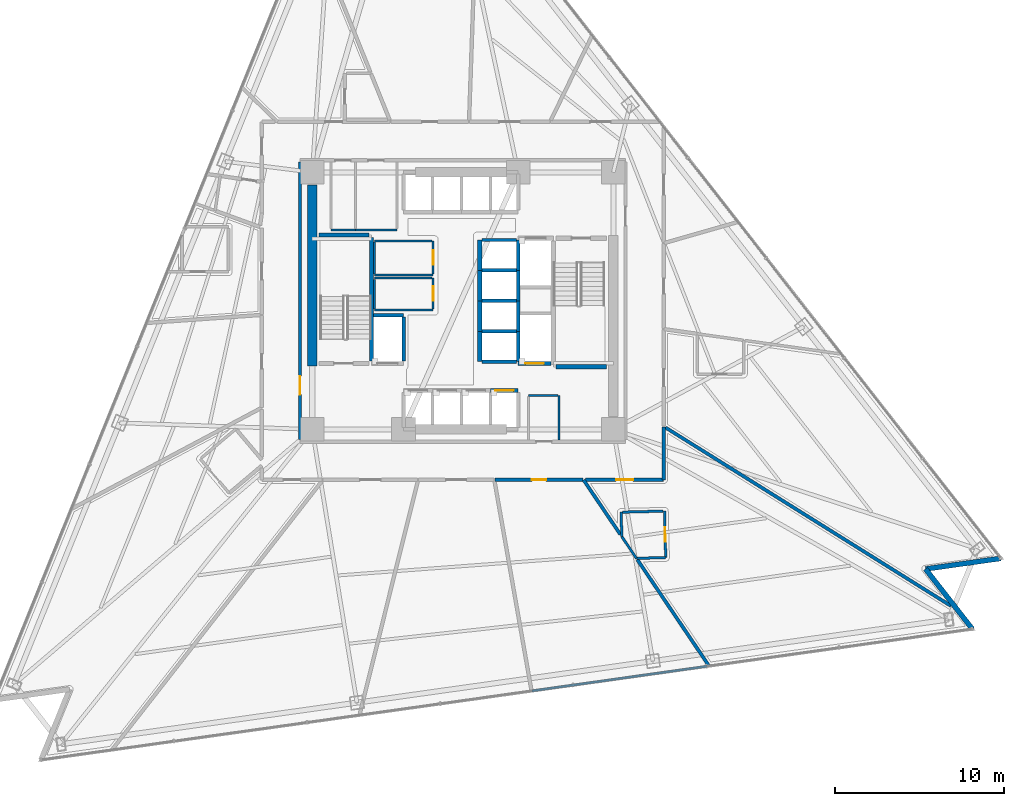
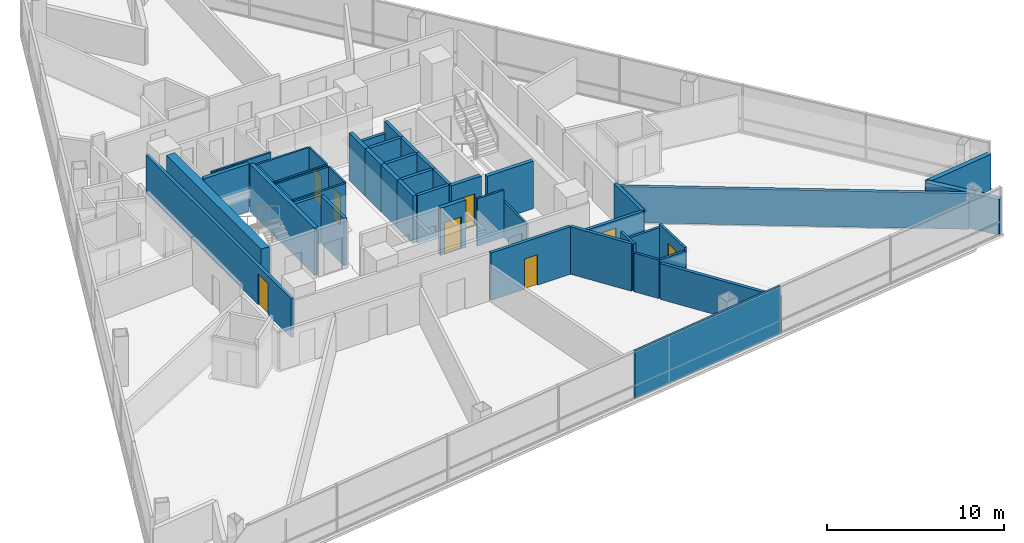
# One storey, part 8 of 15: 48 walls, 8 doors, 8 openings.
"""IFC4 building model written with IfcOpenShell, lengths in metres."""

from ifc_helpers import new_model, si_unit, direction, frame, frame_2d, origin, place, context, subcontext, project, spatial, rectangle, extrude, material, layer, layer_set, type_object, element, fill, save


model = new_model("IFC4")

# Units and contexts
model_context = context("Model", 3, precision=1e-05, world=origin(), true_north=direction((0.0, 1.0)))
body_context = subcontext(model_context, "Body", "Model", "MODEL_VIEW")
ifc_project = project(units=[si_unit("LENGTHUNIT", "METRE"), si_unit("AREAUNIT", "SQUARE_METRE"), si_unit("VOLUMEUNIT", "CUBIC_METRE"), si_unit("PLANEANGLEUNIT", "RADIAN"), si_unit("MASSUNIT", "GRAM", prefix="KILO")], contexts=[model_context])

# Site, building, storey
site_placement = place(None, origin())
site = spatial("IfcSite", under=ifc_project, at=site_placement, CompositionType="ELEMENT")
building_placement = place(site_placement, origin())
building = spatial("IfcBuilding", under=site, at=building_placement, Name="Tharavind Bronze Gate", CompositionType="ELEMENT")
storey_placement = place(building_placement, frame((0.0, 0.0, 67.300048828125)))
storey = spatial("IfcBuildingStorey", under=building, at=storey_placement, Name="L16", CompositionType="ELEMENT", Elevation=67.300048828125)

# Walls
ifc_material_1 = material(Name="Concrete C40/50", Category="concrete")
ifc_layer_1 = layer(ifc_material_1, 0.300048828125)
ifc_layer_set_1 = layer_set([ifc_layer_1], Name="Concrete C40/50")
wall_type_1 = type_object("IfcWallType", Name="EXTERIOR SPANDREL WALL 300", PredefinedType="STANDARD", material=ifc_layer_set_1)
wall_1_placement = place(storey_placement, frame((30.127685546875, -19.399169921875, 0.0), z_axis=(0.0, 0.0, 1.0), x_axis=(-0.615621932091, 0.78804164657, 0.0)))
element("IfcWall", 1, at=wall_1_placement, inside=storey, type_object=wall_type_1, Name="L16 notch cheek wall 3A", PredefinedType="STANDARD", context=body_context, shape_type="SweptSolid", body=[
    extrude(rectangle(XDim=4.5, YDim=0.300048828125, at=frame_2d((2.25, 0.0))), origin(), (0.0, 0.0, 1.0), 2.469970703125),
])
wall_2_placement = place(storey_placement, frame((27.357421875, -15.85302734375, 0.0), z_axis=(0.0, 0.0, 1.0), x_axis=(0.990269200152, 0.139165050317, 0.0)))
element("IfcWall", 2, at=wall_2_placement, inside=storey, type_object=wall_type_1, Name="L16 notch cheek wall 3B", PredefinedType="STANDARD", context=body_context, shape_type="SweptSolid", body=[
    extrude(rectangle(XDim=4.499755859375, YDim=0.300048828125, at=frame_2d((2.25, 0.0))), origin(), (0.0, 0.0, 1.0), 2.469970703125),
])

# Wall, opening, door
ifc_material_2 = material(Name="Aerated Concrete Block", Category="concrete")
ifc_layer_2 = layer(ifc_material_2, 0.199951171875)
ifc_layer_set_2 = layer_set([ifc_layer_2], Name="Aerated Concrete Block")
wall_type_2 = type_object("IfcWallType", Name="FIRE RATED PARTITION 200", PredefinedType="PARTITIONING", material=ifc_layer_set_2)
wall_3_placement = place(storey_placement, frame((-9.6201171875, 8.199951171875, 0.0), z_axis=(0.0, 0.0, 1.0), x_axis=(0.0, -1.0, 0.0)))
wall_3 = element("IfcWall", 3, at=wall_3_placement, inside=storey, type_object=wall_type_2, Name="L16 west core corridor wall", PredefinedType="PARTITIONING", context=body_context, shape_type="SweptSolid", body=[
    extrude(rectangle(XDim=16.39990234375, YDim=0.199951171875, at=frame_2d((8.199951171875, 0.0))), origin(), (0.0, 0.0, 1.0), 2.669921875),
])
opening_1_placement = place(wall_3_placement, frame((12.64990234375, 0.0, 0.0)))
opening_1 = element("IfcOpeningElement", 4, at=opening_1_placement, cuts=wall_3, Name="Opening ID01", PredefinedType="OPENING", context=body_context, shape_type="SweptSolid", body=[
    extrude(rectangle(XDim=1.10009765625, YDim=2.14990234375, at=frame_2d((0.550048828125, 1.074951171875))), frame((0.0, 0.11009765625, 0.0), z_axis=(0.0, -1.0, 0.0), x_axis=(1.0, 0.0, 0.0)), (0.0, 0.0, 1.0), 0.219951171875),
])
ifc_material_3 = material(Name="Fire-Rated Steel", Category="steel")
door_type_1 = type_object("IfcDoorType", Name="STAIR CORE FIRE DOOR 1100X2150", OperationType="SINGLE_SWING_LEFT", PredefinedType="DOOR", material=ifc_material_3)
door_1_placement = place(opening_1_placement, frame((1.10009765625, 0.0, 0.0), z_axis=(0.0, 0.0, 1.0), x_axis=(-1.0, 0.0, 0.0)))
door_1 = element("IfcDoor", 5, at=door_1_placement, inside=storey, type_object=door_type_1, Name="L16 south west stair lobby fire door", OperationType="SINGLE_SWING_LEFT", OverallHeight=2.14990234375, OverallWidth=1.10009765625, PredefinedType="DOOR", context=body_context, shape_type="SweptSolid", body=[
    extrude(rectangle(XDim=1.10009765625, YDim=2.14990234375, at=frame_2d((0.550048828125, 1.074951171875))), frame((0.0, 0.02490234375, 0.0), z_axis=(0.0, -1.0, 0.0), x_axis=(1.0, 0.0, 0.0)), (0.0, 0.0, 1.0), 0.050048828125),
])
fill(opening_1, door_1)

wall_4_placement = place(storey_placement, frame((1.895263671875, -10.580078125, 0.0), z_axis=(0.0, 0.0, 1.0), x_axis=(1.0, 0.0, 0.0)))
wall_4 = element("IfcWall", 6, at=wall_4_placement, inside=storey, type_object=wall_type_2, Name="L16 Public Restrooms Block partition", PredefinedType="PARTITIONING", context=body_context, shape_type="SweptSolid", body=[
    extrude(rectangle(XDim=5.227783203125, YDim=0.199951171875, at=frame_2d((2.61376953125, 0.0))), origin(), (0.0, 0.0, 1.0), 3.27490234375),
])
opening_2_placement = place(wall_4_placement, frame((2.18896484375, 0.0, 0.0)))
opening_2 = element("IfcOpeningElement", 7, at=opening_2_placement, cuts=wall_4, Name="Opening ID06", PredefinedType="OPENING", context=body_context, shape_type="SweptSolid", body=[
    extrude(rectangle(XDim=0.85009765625, YDim=2.10009765625, at=frame_2d((0.425048828125, 1.050048828125))), frame((0.0, 0.11009765625, 0.0), z_axis=(0.0, -1.0, 0.0), x_axis=(1.0, 0.0, 0.0)), (0.0, 0.0, 1.0), 0.219951171875),
])
ifc_material_4 = material(Name="Moisture-Resistant Timber", Category="wood")
door_type_2 = type_object("IfcDoorType", Name="BATHROOM PRIVACY DOOR 850X2100", OperationType="SINGLE_SWING_RIGHT", PredefinedType="DOOR", material=ifc_material_4)
door_2_placement = place(opening_2_placement, origin())
door_2 = element("IfcDoor", 8, at=door_2_placement, inside=storey, type_object=door_type_2, Name="L16 Public Restrooms Block door", OperationType="SINGLE_SWING_RIGHT", OverallHeight=2.10009765625, OverallWidth=0.85009765625, PredefinedType="DOOR", context=body_context, shape_type="SweptSolid", body=[
    extrude(rectangle(XDim=0.85009765625, YDim=2.10009765625, at=frame_2d((0.425048828125, 1.050048828125))), frame((0.0, 0.02490234375, 0.0), z_axis=(0.0, -1.0, 0.0), x_axis=(1.0, 0.0, 0.0)), (0.0, 0.0, 1.0), 0.050048828125),
])
fill(opening_2, door_2)

# Walls
wall_5_placement = place(storey_placement, frame((7.143798828125, -10.591064453125, 0.0), z_axis=(0.0, 0.0, 1.0), x_axis=(0.559171794076, -0.829051810631, 0.0)))
element("IfcWall", 9, at=wall_5_placement, inside=storey, type_object=wall_type_2, Name="L16 Public Restrooms Block partition", PredefinedType="PARTITIONING", context=body_context, shape_type="SweptSolid", body=[
    extrude(rectangle(XDim=3.88623046875, YDim=0.199951171875, at=frame_2d((1.943115234375, 0.0))), origin(), (0.0, 0.0, 1.0), 3.27490234375),
])
wall_6_placement = place(storey_placement, frame((10.321044921875, -15.3017578125, 0.0), z_axis=(0.0, 0.0, 1.0), x_axis=(0.559202924042, -0.829030813506, 0.0)))
element("IfcWall", 10, at=wall_6_placement, inside=storey, type_object=wall_type_2, Name="L16 Public Restrooms Block partition", PredefinedType="PARTITIONING", context=body_context, shape_type="SweptSolid", body=[
    extrude(rectangle(XDim=7.581298828125, YDim=0.199951171875, at=frame_2d((3.79052734375, 0.0))), origin(), (0.0, 0.0, 1.0), 2.469970703125),
])
wall_7_placement = place(storey_placement, frame((11.8798828125, -10.579345703125, 0.0), z_axis=(0.0, 0.0, 1.0), x_axis=(0.0, 1.0, 0.0)))
element("IfcWall", 11, at=wall_7_placement, inside=storey, type_object=wall_type_2, Name="L16 Deluxe Hotel Suite partition", PredefinedType="PARTITIONING", context=body_context, shape_type="SweptSolid", body=[
    extrude(rectangle(XDim=3.11083984375, YDim=0.199951171875, at=frame_2d((1.555419921875, 0.0))), origin(), (0.0, 0.0, 1.0), 2.669921875),
])
wall_8_placement = place(storey_placement, frame((11.985107421875, -7.489013671875, 0.0), z_axis=(0.0, 0.0, 1.0), x_axis=(0.848049281921, -0.529917366608, 0.0)))
element("IfcWall", 12, at=wall_8_placement, inside=storey, type_object=wall_type_2, Name="L16 Deluxe Hotel Suite partition", PredefinedType="PARTITIONING", context=body_context, shape_type="SweptSolid", body=[
    extrude(rectangle(XDim=19.908447265625, YDim=0.199951171875, at=frame_2d((9.9541015625, 0.0))), origin(), (0.0, 0.0, 1.0), 2.469970703125),
])

# Wall, opening, door
wall_9_placement = place(storey_placement, frame((7.262939453125, -10.580078125, 0.0), z_axis=(0.0, 0.0, 1.0), x_axis=(1.0, 0.0, 0.0)))
wall_9 = element("IfcWall", 13, at=wall_9_placement, inside=storey, type_object=wall_type_2, Name="L16 Deluxe Hotel Suite partition", PredefinedType="PARTITIONING", context=body_context, shape_type="SweptSolid", body=[
    extrude(rectangle(XDim=4.616455078125, YDim=0.199951171875, at=frame_2d((2.30810546875, 0.0))), origin(), (0.0, 0.0, 1.0), 2.669921875),
])
opening_3_placement = place(wall_9_placement, frame((1.80810546875, 0.0, 0.0)))
opening_3 = element("IfcOpeningElement", 14, at=opening_3_placement, cuts=wall_9, Name="Opening ID03", PredefinedType="OPENING", context=body_context, shape_type="SweptSolid", body=[
    extrude(rectangle(XDim=1.0, YDim=2.14990234375, at=frame_2d((0.5, 1.074951171875))), frame((0.0, 0.11009765625, 0.0), z_axis=(0.0, -1.0, 0.0), x_axis=(1.0, 0.0, 0.0)), (0.0, 0.0, 1.0), 0.219951171875),
])
ifc_material_5 = material(Name="Solid Timber Veneer", Category="wood")
door_type_3 = type_object("IfcDoorType", Name="HOTEL SUITE ENTRANCE DOOR 1000X2150", OperationType="SINGLE_SWING_LEFT", PredefinedType="DOOR", material=ifc_material_5)
door_3_placement = place(opening_3_placement, origin())
door_3 = element("IfcDoor", 15, at=door_3_placement, inside=storey, type_object=door_type_3, Name="L16 Deluxe Hotel Suite door", OperationType="SINGLE_SWING_LEFT", OverallHeight=2.14990234375, OverallWidth=1.0, PredefinedType="DOOR", context=body_context, shape_type="SweptSolid", body=[
    extrude(rectangle(XDim=1.0, YDim=2.14990234375, at=frame_2d((0.5, 1.074951171875))), frame((0.0, 0.02490234375, 0.0), z_axis=(0.0, -1.0, 0.0), x_axis=(1.0, 0.0, 0.0)), (0.0, 0.0, 1.0), 0.050048828125),
])
fill(opening_3, door_3)

# Wall
ifc_material_6 = material(Name="Metal Stud Gypsum Partition", Category="gypsum")
ifc_layer_3 = layer(ifc_material_6, 0.1201171875)
ifc_layer_set_3 = layer_set([ifc_layer_3], Name="Metal Stud Gypsum Partition")
wall_type_3 = type_object("IfcWallType", Name="INTERIOR PARTITION WALL 120", PredefinedType="PARTITIONING", material=ifc_layer_set_3)
wall_10_placement = place(storey_placement, frame((-5.219970703125, 1.52001953125, 0.0), z_axis=(0.0, 0.0, 1.0), x_axis=(1.0, 0.0, 0.0)))
element("IfcWall", 16, at=wall_10_placement, inside=storey, type_object=wall_type_3, Name="L16 Cleaner Store Room partition 1", PredefinedType="PARTITIONING", context=body_context, shape_type="SweptSolid", body=[
    extrude(rectangle(XDim=3.469970703125, YDim=0.1201171875, at=frame_2d((1.73486328125, 0.0))), origin(), (0.0, 0.0, 1.0), 3.27490234375),
])

# Wall, opening, door
wall_11_placement = place(storey_placement, frame((-1.75, 1.5849609375, 0.0), z_axis=(0.0, 0.0, 1.0), x_axis=(0.0, 1.0, 0.0)))
wall_11 = element("IfcWall", 17, at=wall_11_placement, inside=storey, type_object=wall_type_3, Name="L16 Cleaner Store Room partition 2", PredefinedType="PARTITIONING", context=body_context, shape_type="SweptSolid", body=[
    extrude(rectangle(XDim=1.965087890625, YDim=0.1201171875, at=frame_2d((0.982421875, 0.0))), origin(), (0.0, 0.0, 1.0), 3.27490234375),
])
opening_4_placement = place(wall_11_placement, frame((0.556884765625, 0.0, 0.0)))
opening_4 = element("IfcOpeningElement", 18, at=opening_4_placement, cuts=wall_11, Name="Opening ID06", PredefinedType="OPENING", context=body_context, shape_type="SweptSolid", body=[
    extrude(rectangle(XDim=0.85009765625, YDim=2.10009765625, at=frame_2d((0.425048828125, 1.050048828125))), frame((0.0, 0.07005859375, 0.0), z_axis=(0.0, -1.0, 0.0), x_axis=(1.0, 0.0, 0.0)), (0.0, 0.0, 1.0), 0.1401171875),
])
door_4_placement = place(opening_4_placement, frame((0.85009765625, 0.0, 0.0), z_axis=(0.0, 0.0, 1.0), x_axis=(-1.0, 0.0, 0.0)))
door_4 = element("IfcDoor", 19, at=door_4_placement, inside=storey, type_object=door_type_2, Name="L16 Cleaner Store Room door", OperationType="SINGLE_SWING_RIGHT", OverallHeight=2.10009765625, OverallWidth=0.85009765625, PredefinedType="DOOR", context=body_context, shape_type="SweptSolid", body=[
    extrude(rectangle(XDim=0.85009765625, YDim=2.10009765625, at=frame_2d((0.425048828125, 1.050048828125))), frame((0.0, 0.02490234375, 0.0), z_axis=(0.0, -1.0, 0.0), x_axis=(1.0, 0.0, 0.0)), (0.0, 0.0, 1.0), 0.050048828125),
])
fill(opening_4, door_4)

# Walls
wall_12_placement = place(storey_placement, frame((-1.81494140625, 3.550048828125, 0.0), z_axis=(0.0, 0.0, 1.0), x_axis=(-1.0, 0.0, 0.0)))
element("IfcWall", 20, at=wall_12_placement, inside=storey, type_object=wall_type_3, Name="L16 Cleaner Store Room partition 3", PredefinedType="PARTITIONING", context=body_context, shape_type="SweptSolid", body=[
    extrude(rectangle(XDim=3.405029296875, YDim=0.1201171875, at=frame_2d((1.70263671875, 0.0))), origin(), (0.0, 0.0, 1.0), 3.27490234375),
])
wall_13_placement = place(storey_placement, frame((-5.219970703125, 3.485107421875, 0.0), z_axis=(0.0, 0.0, 1.0), x_axis=(0.0, -1.0, 0.0)))
element("IfcWall", 21, at=wall_13_placement, inside=storey, type_object=wall_type_3, Name="L16 Cleaner Store Room partition 4", PredefinedType="PARTITIONING", context=body_context, shape_type="SweptSolid", body=[
    extrude(rectangle(XDim=1.900146484375, YDim=0.1201171875, at=frame_2d((0.9501953125, 0.0))), origin(), (0.0, 0.0, 1.0), 3.27490234375),
])
wall_14_placement = place(storey_placement, frame((-5.219970703125, -0.550048828125, 0.0), z_axis=(0.0, 0.0, 1.0), x_axis=(1.0, 0.0, 0.0)))
element("IfcWall", 22, at=wall_14_placement, inside=storey, type_object=wall_type_3, Name="L16 Electrical Switch Room partition 1", PredefinedType="PARTITIONING", context=body_context, shape_type="SweptSolid", body=[
    extrude(rectangle(XDim=3.469970703125, YDim=0.1201171875, at=frame_2d((1.73486328125, 0.0))), origin(), (0.0, 0.0, 1.0), 3.27490234375),
])

# Wall, opening, door
wall_15_placement = place(storey_placement, frame((-1.75, -0.485107421875, 0.0), z_axis=(0.0, 0.0, 1.0), x_axis=(0.0, 1.0, 0.0)))
wall_15 = element("IfcWall", 23, at=wall_15_placement, inside=storey, type_object=wall_type_3, Name="L16 Electrical Switch Room partition 2", PredefinedType="PARTITIONING", context=body_context, shape_type="SweptSolid", body=[
    extrude(rectangle(XDim=1.8251953125, YDim=0.1201171875, at=frame_2d((0.91259765625, 0.0))), origin(), (0.0, 0.0, 1.0), 3.27490234375),
])
opening_5_placement = place(wall_15_placement, frame((0.488037109375, 0.0, 0.0)))
opening_5 = element("IfcOpeningElement", 24, at=opening_5_placement, cuts=wall_15, Name="Opening ID06", PredefinedType="OPENING", context=body_context, shape_type="SweptSolid", body=[
    extrude(rectangle(XDim=0.85009765625, YDim=2.10009765625, at=frame_2d((0.425048828125, 1.050048828125))), frame((0.0, 0.07005859375, 0.0), z_axis=(0.0, -1.0, 0.0), x_axis=(1.0, 0.0, 0.0)), (0.0, 0.0, 1.0), 0.1401171875),
])
door_5_placement = place(opening_5_placement, frame((0.85009765625, 0.0, 0.0), z_axis=(0.0, 0.0, 1.0), x_axis=(-1.0, 0.0, 0.0)))
door_5 = element("IfcDoor", 25, at=door_5_placement, inside=storey, type_object=door_type_2, Name="L16 Electrical Switch Room door", OperationType="SINGLE_SWING_RIGHT", OverallHeight=2.10009765625, OverallWidth=0.85009765625, PredefinedType="DOOR", context=body_context, shape_type="SweptSolid", body=[
    extrude(rectangle(XDim=0.85009765625, YDim=2.10009765625, at=frame_2d((0.425048828125, 1.050048828125))), frame((0.0, 0.02490234375, 0.0), z_axis=(0.0, -1.0, 0.0), x_axis=(1.0, 0.0, 0.0)), (0.0, 0.0, 1.0), 0.050048828125),
])
fill(opening_5, door_5)

# Walls
wall_16_placement = place(storey_placement, frame((-1.81494140625, 1.340087890625, 0.0), z_axis=(0.0, 0.0, 1.0), x_axis=(-1.0, 0.0, 0.0)))
element("IfcWall", 26, at=wall_16_placement, inside=storey, type_object=wall_type_3, Name="L16 Electrical Switch Room partition 3", PredefinedType="PARTITIONING", context=body_context, shape_type="SweptSolid", body=[
    extrude(rectangle(XDim=3.405029296875, YDim=0.1201171875, at=frame_2d((1.70263671875, 0.0))), origin(), (0.0, 0.0, 1.0), 3.27490234375),
])
wall_17_placement = place(storey_placement, frame((-5.219970703125, 1.27490234375, 0.0), z_axis=(0.0, 0.0, 1.0), x_axis=(0.0, -1.0, 0.0)))
element("IfcWall", 27, at=wall_17_placement, inside=storey, type_object=wall_type_3, Name="L16 Electrical Switch Room partition 4", PredefinedType="PARTITIONING", context=body_context, shape_type="SweptSolid", body=[
    extrude(rectangle(XDim=1.760009765625, YDim=0.1201171875, at=frame_2d((0.8798828125, 0.0))), origin(), (0.0, 0.0, 1.0), 3.27490234375),
])
wall_18_placement = place(storey_placement, frame((-7.800048828125, 4.199951171875, 0.0), z_axis=(0.0, 0.0, 1.0), x_axis=(1.0, 0.0, 0.0)))
element("IfcWall", 28, at=wall_18_placement, inside=storey, type_object=wall_type_3, Name="L16 Battery Backup Cupboard partition 1", PredefinedType="PARTITIONING", context=body_context, shape_type="SweptSolid", body=[
    extrude(rectangle(XDim=1.449951171875, YDim=0.1201171875, at=frame_2d((0.72509765625, 0.0))), origin(), (0.0, 0.0, 1.0), 3.27490234375),
])
wall_19_placement = place(storey_placement, frame((-6.35009765625, 4.199951171875, 0.0), z_axis=(0.0, 0.0, 1.0), x_axis=(1.0, 0.0, 0.0)))
element("IfcWall", 29, at=wall_19_placement, inside=storey, type_object=wall_type_3, Name="L16 Cleaner Store Room partition 1", PredefinedType="PARTITIONING", context=body_context, shape_type="SweptSolid", body=[
    extrude(rectangle(XDim=2.4501953125, YDim=0.1201171875, at=frame_2d((1.22509765625, 0.0))), origin(), (0.0, 0.0, 1.0), 3.27490234375),
])
wall_20_placement = place(storey_placement, frame((5.699951171875, -8.215087890625, 0.0), z_axis=(0.0, 0.0, 1.0), x_axis=(0.0, 1.0, 0.0)))
element("IfcWall", 30, at=wall_20_placement, inside=storey, type_object=wall_type_3, Name="L16 Janitor Store Cupboard partition 2", PredefinedType="PARTITIONING", context=body_context, shape_type="SweptSolid", body=[
    extrude(rectangle(XDim=2.614990234375, YDim=0.1201171875, at=frame_2d((1.3076171875, 0.0))), origin(), (0.0, 0.0, 1.0), 2.469970703125),
])
wall_21_placement = place(storey_placement, frame((5.635009765625, -5.60009765625, 0.0), z_axis=(0.0, 0.0, 1.0), x_axis=(-1.0, 0.0, 0.0)))
element("IfcWall", 31, at=wall_21_placement, inside=storey, type_object=wall_type_3, Name="L16 Janitor Store Cupboard partition 3", PredefinedType="PARTITIONING", context=body_context, shape_type="SweptSolid", body=[
    extrude(rectangle(XDim=1.735107421875, YDim=0.1201171875, at=frame_2d((0.86767578125, 0.0))), origin(), (0.0, 0.0, 1.0), 3.27490234375),
])

# Wall, opening, door
ifc_material_7 = material(Name="Twin Stud Acoustic Gypsum", Category="gypsum")
ifc_layer_4 = layer(ifc_material_7, 0.14990234375)
ifc_layer_set_4 = layer_set([ifc_layer_4], Name="Twin Stud Acoustic Gypsum")
wall_type_4 = type_object("IfcWallType", Name="INTERIOR PARTITION WALL 150", PredefinedType="PARTITIONING", material=ifc_layer_set_4)
wall_22_placement = place(storey_placement, frame((11.927490234375, -12.429443359375, 0.0), z_axis=(0.0, 0.0, 1.0), x_axis=(0.025746347005, -0.999668507864, 0.0)))
wall_22 = element("IfcWall", 32, at=wall_22_placement, inside=storey, type_object=wall_type_4, Name="L16 En-Suite Bathroom partition", PredefinedType="PARTITIONING", context=body_context, shape_type="SweptSolid", body=[
    extrude(rectangle(XDim=2.75, YDim=0.14990234375, at=frame_2d((1.375, 0.0))), origin(), (0.0, 0.0, 1.0), 2.869873046875),
])
opening_6_placement = place(wall_22_placement, frame((0.949951171875, 0.0, 0.0)))
opening_6 = element("IfcOpeningElement", 33, at=opening_6_placement, cuts=wall_22, Name="Opening ID06", PredefinedType="OPENING", context=body_context, shape_type="SweptSolid", body=[
    extrude(rectangle(XDim=0.85009765625, YDim=2.10009765625, at=frame_2d((0.425048828125, 1.050048828125))), frame((0.0, 0.084951171875, 0.0), z_axis=(0.0, -1.0, 0.0), x_axis=(1.0, 0.0, 0.0)), (0.0, 0.0, 1.0), 0.16990234375),
])
door_6_placement = place(opening_6_placement, origin())
door_6 = element("IfcDoor", 34, at=door_6_placement, inside=storey, type_object=door_type_2, Name="L16 En-Suite Bathroom door", OperationType="SINGLE_SWING_RIGHT", OverallHeight=2.10009765625, OverallWidth=0.85009765625, PredefinedType="DOOR", context=body_context, shape_type="SweptSolid", body=[
    extrude(rectangle(XDim=0.85009765625, YDim=2.10009765625, at=frame_2d((0.425048828125, 1.050048828125))), frame((0.0, 0.02490234375, 0.0), z_axis=(0.0, -1.0, 0.0), x_axis=(1.0, 0.0, 0.0)), (0.0, 0.0, 1.0), 0.050048828125),
])
fill(opening_6, door_6)

# Walls
wall_23_placement = place(storey_placement, frame((11.998291015625, -15.178466796875, 0.0), z_axis=(0.0, 0.0, 1.0), x_axis=(-0.999670410654, -0.025672359918, 0.0)))
element("IfcWall", 35, at=wall_23_placement, inside=storey, type_object=wall_type_4, Name="L16 En-Suite Bathroom partition", PredefinedType="PARTITIONING", context=body_context, shape_type="SweptSolid", body=[
    extrude(rectangle(XDim=1.730712890625, YDim=0.14990234375, at=frame_2d((0.865234375, 0.0))), origin(), (0.0, 0.0, 1.0), 2.669921875),
])
wall_24_placement = place(storey_placement, frame((10.26806640625, -15.222900390625, 0.0), z_axis=(0.0, 0.0, 1.0), x_axis=(-0.559229675695, 0.82901276819, 0.0)))
element("IfcWall", 36, at=wall_24_placement, inside=storey, type_object=wall_type_4, Name="L16 En-Suite Bathroom partition", PredefinedType="PARTITIONING", context=body_context, shape_type="SweptSolid", body=[
    extrude(rectangle(XDim=1.552001953125, YDim=0.14990234375, at=frame_2d((0.77587890625, 0.0))), origin(), (0.0, 0.0, 1.0), 2.669921875),
])
wall_25_placement = place(storey_placement, frame((9.400146484375, -13.936279296875, 0.0), z_axis=(0.0, 0.0, 1.0), x_axis=(-0.025745445057, 0.999668531094, 0.0)))
element("IfcWall", 37, at=wall_25_placement, inside=storey, type_object=wall_type_4, Name="L16 En-Suite Bathroom partition", PredefinedType="PARTITIONING", context=body_context, shape_type="SweptSolid", body=[
    extrude(rectangle(XDim=1.44140625, YDim=0.14990234375, at=frame_2d((0.720703125, 0.0))), origin(), (0.0, 0.0, 1.0), 3.27490234375),
])
wall_26_placement = place(storey_placement, frame((9.443115234375, -12.493408203125, 0.0), z_axis=(0.0, 0.0, 1.0), x_axis=(0.999667618691, 0.025780848324, 0.0)))
element("IfcWall", 38, at=wall_26_placement, inside=storey, type_object=wall_type_4, Name="L16 En-Suite Bathroom partition", PredefinedType="PARTITIONING", context=body_context, shape_type="SweptSolid", body=[
    extrude(rectangle(XDim=2.4052734375, YDim=0.14990234375, at=frame_2d((1.20263671875, 0.0))), origin(), (0.0, 0.0, 1.0), 2.669921875),
])
wall_27_placement = place(storey_placement, frame((14.44482421875, -21.603271484375, 0.0), z_axis=(0.0, 0.0, 1.0), x_axis=(-0.990270056923, -0.139158953581, 0.0)))
element("IfcWall", 39, at=wall_27_placement, inside=storey, type_object=wall_type_4, Name="L16 Public Restrooms Block partition", PredefinedType="PARTITIONING", context=body_context, shape_type="SweptSolid", body=[
    extrude(rectangle(XDim=10.456298828125, YDim=0.14990234375, at=frame_2d((5.22802734375, 0.0))), origin(), (0.0, 0.0, 1.0), 3.27490234375),
])
ifc_material_8 = material(Name="Concrete C50/60", Category="concrete")
ifc_layer_5 = layer(ifc_material_8, 0.25)
ifc_layer_set_5 = layer_set([ifc_layer_5], Name="Concrete C50/60")
wall_type_5 = type_object("IfcWallType", Name="RC CORE SHEAR WALL 250", PredefinedType="SHEAR", material=ifc_layer_set_5)
wall_28_placement = place(storey_placement, frame((-5.39990234375, -3.550048828125, 0.0), z_axis=(0.0, 0.0, 1.0), x_axis=(0.0, 1.0, 0.0)))
element("IfcWall", 40, at=wall_28_placement, inside=storey, type_object=wall_type_5, Name="L16 ST1 shaft east wall", PredefinedType="SHEAR", context=body_context, shape_type="SweptSolid", body=[
    extrude(rectangle(XDim=7.300048828125, YDim=0.25, at=frame_2d((3.64990234375, 0.0))), origin(), (0.0, 0.0, 1.0), 3.27490234375),
])
wall_29_placement = place(storey_placement, frame((-8.5, 3.89990234375, 0.0), z_axis=(0.0, 0.0, 1.0), x_axis=(1.0, 0.0, 0.0)))
element("IfcWall", 41, at=wall_29_placement, inside=storey, type_object=wall_type_5, Name="L16 ST1 shaft north wall", PredefinedType="SHEAR", context=body_context, shape_type="SweptSolid", body=[
    extrude(rectangle(XDim=2.949951171875, YDim=0.25, at=frame_2d((1.47509765625, 0.0))), origin(), (0.0, 0.0, 1.0), 3.27490234375),
])
wall_30_placement = place(storey_placement, frame((5.5, -3.89990234375, 0.0), z_axis=(0.0, 0.0, 1.0), x_axis=(1.0, 0.0, 0.0)))
element("IfcWall", 42, at=wall_30_placement, inside=storey, type_object=wall_type_5, Name="L16 ST2 shaft south wall", PredefinedType="SHEAR", context=body_context, shape_type="SweptSolid", body=[
    extrude(rectangle(XDim=3.0, YDim=0.25, at=frame_2d((1.5, 0.0))), origin(), (0.0, 0.0, 1.0), 3.27490234375),
])

# Wall, opening, door
wall_31_placement = place(storey_placement, frame((1.637451171875, -5.300048828125, 0.0), z_axis=(0.0, 0.0, 1.0), x_axis=(1.0, 0.0, 0.0)))
wall_31 = element("IfcWall", 43, at=wall_31_placement, inside=storey, type_object=wall_type_5, Name="L16 lift PL4 shaft front wall", PredefinedType="SHEAR", context=body_context, shape_type="SweptSolid", body=[
    extrude(rectangle(XDim=1.642578125, YDim=0.25, at=frame_2d((0.8212890625, 0.0))), origin(), (0.0, 0.0, 1.0), 3.27490234375),
])
opening_7_placement = place(wall_31_placement, frame((0.27099609375, 0.0, 0.0)))
opening_7 = element("IfcOpeningElement", 44, at=opening_7_placement, cuts=wall_31, Name="Opening LD01", PredefinedType="OPENING", context=body_context, shape_type="SweptSolid", body=[
    extrude(rectangle(XDim=1.10009765625, YDim=2.199951171875, at=frame_2d((0.550048828125, 1.10009765625))), frame((0.0, 0.135, 0.0), z_axis=(0.0, -1.0, 0.0), x_axis=(1.0, 0.0, 0.0)), (0.0, 0.0, 1.0), 0.27),
])
ifc_material_9 = material(Name="Brushed Bronze Stainless Steel", Category="steel")
door_type_4 = type_object("IfcDoorType", Name="LIFT LANDING SLIDING DOOR 1100X2200", OperationType="SLIDING_TO_LEFT", PredefinedType="DOOR", material=ifc_material_9)
door_7_placement = place(opening_7_placement, origin())
door_7 = element("IfcDoor", 45, at=door_7_placement, inside=storey, type_object=door_type_4, Name="L16 lift PL4 sliding landing door", OperationType="SLIDING_TO_LEFT", OverallHeight=2.199951171875, OverallWidth=1.10009765625, PredefinedType="DOOR", context=body_context, shape_type="SweptSolid", body=[
    extrude(rectangle(XDim=1.10009765625, YDim=2.199951171875, at=frame_2d((0.550048828125, 1.10009765625))), frame((0.0, 0.02490234375, 0.0), z_axis=(0.0, -1.0, 0.0), x_axis=(1.0, 0.0, 0.0)), (0.0, 0.0, 1.0), 0.050048828125),
])
fill(opening_7, door_7)

# Walls
for number, where, z_axis, x_axis, name in (
    (46, (1.0, -3.60009765625, 0.0), (0.0, 0.0, 1.0), (0.0, 1.0, 0.0), "L16 lift PL9 shaft front wall"),
    (47, (1.0, -1.800048828125, 0.0), (0.0, 0.0, 1.0), (0.0, 1.0, 0.0), "L16 lift PL10 shaft front wall"),
    (48, (1.0, 0.0, 0.0), (0.0, 0.0, 1.0), (0.0, 1.0, 0.0), "L16 lift PL11 shaft front wall"),
    (49, (1.0, 1.800048828125, 0.0), (0.0, 0.0, 1.0), (0.0, 1.0, 0.0), "L16 lift PL12 shaft front wall"),
):
    element("IfcWall", number, at=place(storey_placement, frame(where, z_axis=z_axis, x_axis=x_axis)), inside=storey, type_object=wall_type_5, Name=name, PredefinedType="SHEAR", context=body_context, shape_type="SweptSolid", body=[
        extrude(rectangle(XDim=1.800048828125, YDim=0.25, at=frame_2d((0.89990234375, 0.0))), origin(), (0.0, 0.0, 1.0), 3.27490234375),
    ])

# Wall, opening, door
wall_32_placement = place(storey_placement, frame((3.280029296875, -3.699951171875, 0.0), z_axis=(0.0, 0.0, 1.0), x_axis=(1.0, 0.0, 0.0)))
wall_32 = element("IfcWall", 50, at=wall_32_placement, inside=storey, type_object=wall_type_5, Name="L16 lift SVL1 shaft front wall", PredefinedType="SHEAR", context=body_context, shape_type="SweptSolid", body=[
    extrude(rectangle(XDim=1.93994140625, YDim=0.25, at=frame_2d((0.969970703125, 0.0))), origin(), (0.0, 0.0, 1.0), 3.27490234375),
])
opening_8_placement = place(wall_32_placement, frame((0.419921875, 0.0, 0.0)))
opening_8 = element("IfcOpeningElement", 51, at=opening_8_placement, cuts=wall_32, Name="Opening LD01", PredefinedType="OPENING", context=body_context, shape_type="SweptSolid", body=[
    extrude(rectangle(XDim=1.10009765625, YDim=2.199951171875, at=frame_2d((0.550048828125, 1.10009765625))), frame((0.0, 0.135, 0.0), z_axis=(0.0, -1.0, 0.0), x_axis=(1.0, 0.0, 0.0)), (0.0, 0.0, 1.0), 0.27),
])
door_8_placement = place(opening_8_placement, origin())
door_8 = element("IfcDoor", 52, at=door_8_placement, inside=storey, type_object=door_type_4, Name="L16 lift SVL1 sliding landing door", OperationType="SLIDING_TO_LEFT", OverallHeight=2.199951171875, OverallWidth=1.10009765625, PredefinedType="DOOR", context=body_context, shape_type="SweptSolid", body=[
    extrude(rectangle(XDim=1.10009765625, YDim=2.199951171875, at=frame_2d((0.550048828125, 1.10009765625))), frame((0.0, 0.02490234375, 0.0), z_axis=(0.0, -1.0, 0.0), x_axis=(1.0, 0.0, 0.0)), (0.0, 0.0, 1.0), 0.050048828125),
])
fill(opening_8, door_8)

# Walls
ifc_material_10 = material(Name="Concrete C60/75", Category="concrete")
ifc_layer_6 = layer(ifc_material_10, 0.550048828125)
ifc_layer_set_6 = layer_set([ifc_layer_6], Name="Concrete C60/75")
wall_type_6 = type_object("IfcWallType", Name="RC CORE SHEAR WALL 550", PredefinedType="SHEAR", material=ifc_layer_set_6)
wall_33_placement = place(storey_placement, frame((-8.89990234375, -3.85009765625, 0.0), z_axis=(0.0, 0.0, 1.0), x_axis=(0.0, 1.0, 0.0)))
element("IfcWall", 53, at=wall_33_placement, inside=storey, type_object=wall_type_6, Name="L16 west core shear wall", PredefinedType="SHEAR", context=body_context, shape_type="SweptSolid", body=[
    extrude(rectangle(XDim=10.7001953125, YDim=0.550048828125, at=frame_2d((5.35009765625, 0.0))), origin(), (0.0, 0.0, 1.0), 3.27490234375),
])
ifc_layer_7 = layer(ifc_material_1, 0.199951171875)
ifc_layer_set_7 = layer_set([ifc_layer_7], Name="Concrete C40/50")
wall_type_7 = type_object("IfcWallType", Name="SHAFT ENCLOSURE WALL 200", PredefinedType="PARTITIONING", material=ifc_layer_set_7)
wall_34_placement = place(storey_placement, frame((3.280029296875, -3.60009765625, 0.0), z_axis=(0.0, 0.0, 1.0), x_axis=(0.0, 1.0, 0.0)))
element("IfcWall", 54, at=wall_34_placement, inside=storey, type_object=wall_type_7, Name="L16 lift PL9 shaft E enclosure wall", PredefinedType="PARTITIONING", context=body_context, shape_type="SweptSolid", body=[
    extrude(rectangle(XDim=1.800048828125, YDim=0.199951171875, at=frame_2d((0.89990234375, 0.0))), origin(), (0.0, 0.0, 1.0), 3.27490234375),
])
for number, where, z_axis, x_axis, name in (
    (55, (1.1298828125, -3.60009765625, 0.0), (0.0, 0.0, 1.0), (1.0, 0.0, 0.0), "L16 lift PL9 shaft S enclosure wall"),
    (56, (1.1298828125, -1.800048828125, 0.0), (0.0, 0.0, 1.0), (1.0, 0.0, 0.0), "L16 lift PL9 shaft N enclosure wall"),
):
    element("IfcWall", number, at=place(storey_placement, frame(where, z_axis=z_axis, x_axis=x_axis)), inside=storey, type_object=wall_type_7, Name=name, PredefinedType="PARTITIONING", context=body_context, shape_type="SweptSolid", body=[
        extrude(rectangle(XDim=2.045166015625, YDim=0.199951171875, at=frame_2d((1.0224609375, 0.0))), origin(), (0.0, 0.0, 1.0), 3.27490234375),
    ])
wall_35_placement = place(storey_placement, frame((3.280029296875, -1.800048828125, 0.0), z_axis=(0.0, 0.0, 1.0), x_axis=(0.0, 1.0, 0.0)))
element("IfcWall", 57, at=wall_35_placement, inside=storey, type_object=wall_type_7, Name="L16 lift PL10 shaft E enclosure wall", PredefinedType="PARTITIONING", context=body_context, shape_type="SweptSolid", body=[
    extrude(rectangle(XDim=1.800048828125, YDim=0.199951171875, at=frame_2d((0.89990234375, 0.0))), origin(), (0.0, 0.0, 1.0), 3.27490234375),
])
wall_36_placement = place(storey_placement, frame((1.1298828125, 0.0, 0.0), z_axis=(0.0, 0.0, 1.0), x_axis=(1.0, 0.0, 0.0)))
element("IfcWall", 58, at=wall_36_placement, inside=storey, type_object=wall_type_7, Name="L16 lift PL10 shaft N enclosure wall", PredefinedType="PARTITIONING", context=body_context, shape_type="SweptSolid", body=[
    extrude(rectangle(XDim=2.045166015625, YDim=0.199951171875, at=frame_2d((1.0224609375, 0.0))), origin(), (0.0, 0.0, 1.0), 3.27490234375),
])
wall_37_placement = place(storey_placement, frame((3.280029296875, 0.0, 0.0), z_axis=(0.0, 0.0, 1.0), x_axis=(0.0, 1.0, 0.0)))
element("IfcWall", 59, at=wall_37_placement, inside=storey, type_object=wall_type_7, Name="L16 lift PL11 shaft E enclosure wall", PredefinedType="PARTITIONING", context=body_context, shape_type="SweptSolid", body=[
    extrude(rectangle(XDim=1.800048828125, YDim=0.199951171875, at=frame_2d((0.89990234375, 0.0))), origin(), (0.0, 0.0, 1.0), 3.27490234375),
])
wall_38_placement = place(storey_placement, frame((1.1298828125, 1.800048828125, 0.0), z_axis=(0.0, 0.0, 1.0), x_axis=(1.0, 0.0, 0.0)))
element("IfcWall", 60, at=wall_38_placement, inside=storey, type_object=wall_type_7, Name="L16 lift PL11 shaft N enclosure wall", PredefinedType="PARTITIONING", context=body_context, shape_type="SweptSolid", body=[
    extrude(rectangle(XDim=2.045166015625, YDim=0.199951171875, at=frame_2d((1.0224609375, 0.0))), origin(), (0.0, 0.0, 1.0), 3.27490234375),
])
wall_39_placement = place(storey_placement, frame((3.280029296875, 1.800048828125, 0.0), z_axis=(0.0, 0.0, 1.0), x_axis=(0.0, 1.0, 0.0)))
element("IfcWall", 61, at=wall_39_placement, inside=storey, type_object=wall_type_7, Name="L16 lift PL12 shaft E enclosure wall", PredefinedType="PARTITIONING", context=body_context, shape_type="SweptSolid", body=[
    extrude(rectangle(XDim=1.800048828125, YDim=0.199951171875, at=frame_2d((0.89990234375, 0.0))), origin(), (0.0, 0.0, 1.0), 3.27490234375),
])
wall_40_placement = place(storey_placement, frame((1.1298828125, 3.60009765625, 0.0), z_axis=(0.0, 0.0, 1.0), x_axis=(1.0, 0.0, 0.0)))
element("IfcWall", 62, at=wall_40_placement, inside=storey, type_object=wall_type_7, Name="L16 lift PL12 shaft N enclosure wall", PredefinedType="PARTITIONING", context=body_context, shape_type="SweptSolid", body=[
    extrude(rectangle(XDim=2.045166015625, YDim=0.199951171875, at=frame_2d((1.0224609375, 0.0))), origin(), (0.0, 0.0, 1.0), 2.469970703125),
])
wall_41_placement = place(storey_placement, frame((-5.27001953125, -0.85009765625, 0.0), z_axis=(0.0, 0.0, 1.0), x_axis=(1.0, 0.0, 0.0)))
element("IfcWall", 63, at=wall_41_placement, inside=storey, type_object=wall_type_7, Name="L16 lift FFL1 shaft N enclosure wall", PredefinedType="PARTITIONING", context=body_context, shape_type="SweptSolid", body=[
    extrude(rectangle(XDim=1.77001953125, YDim=0.199951171875, at=frame_2d((0.885009765625, 0.0))), origin(), (0.0, 0.0, 1.0), 3.27490234375),
])
wall_42_placement = place(storey_placement, frame((-3.5, -3.570068359375, 0.0), z_axis=(0.0, 0.0, 1.0), x_axis=(0.0, 1.0, 0.0)))
element("IfcWall", 64, at=wall_42_placement, inside=storey, type_object=wall_type_7, Name="L16 lift FFL1 shaft E enclosure wall", PredefinedType="PARTITIONING", context=body_context, shape_type="SweptSolid", body=[
    extrude(rectangle(XDim=2.614990234375, YDim=0.199951171875, at=frame_2d((1.3076171875, 0.0))), origin(), (0.0, 0.0, 1.0), 3.27490234375),
])

save(model, "model.ifc")
